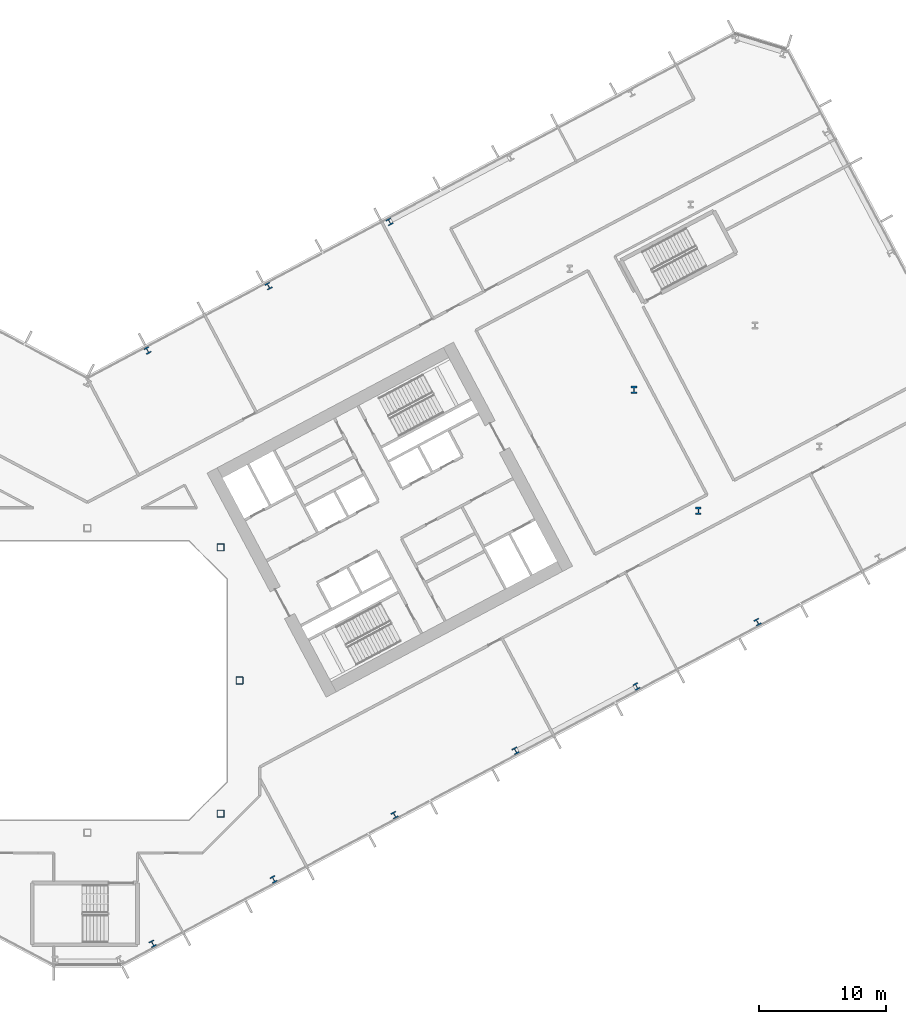
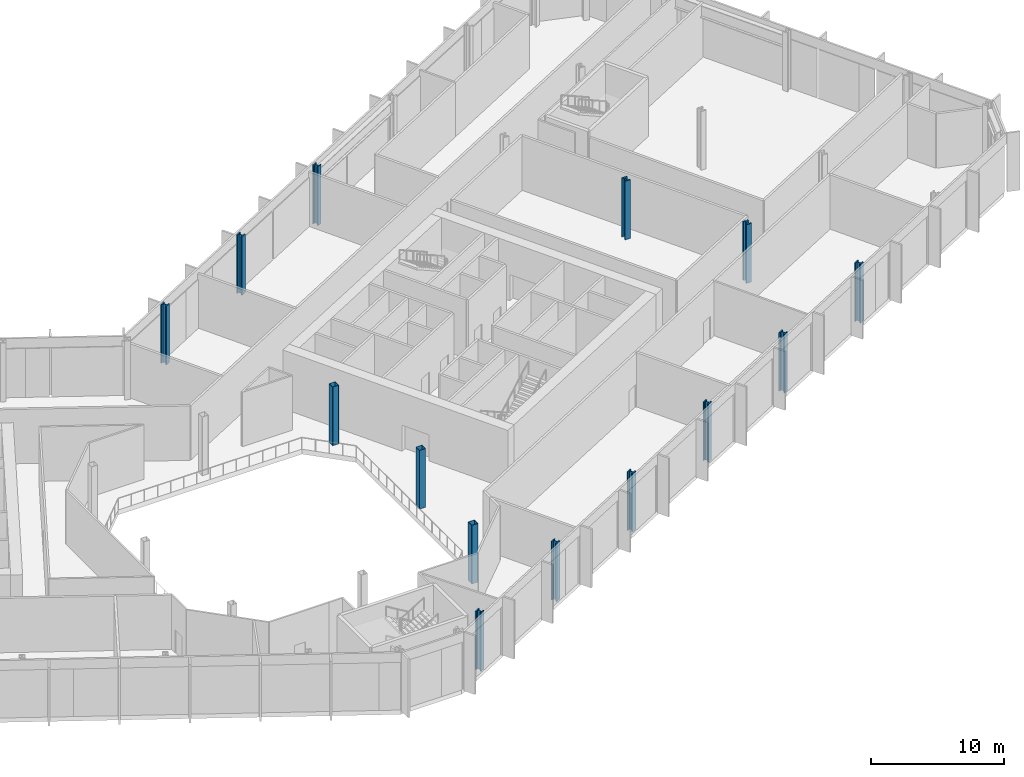
# One storey, part 3 of 32: 14 columns.
"""IFC4 building model written with IfcOpenShell, lengths in metres."""

from ifc_helpers import new_model, si_unit, direction, frame, origin, origin_2d, place, context, subcontext, project, spatial, hollow_rectangle, i_section, extrude, material, material_profile, profile_set, type_object, element, save


model = new_model("IFC4")

# Units and contexts
model_context = context("Model", 3, precision=1e-05, world=origin(), true_north=direction((0.0, 1.0)))
body_context = subcontext(model_context, "Body", "Model", "MODEL_VIEW")
ifc_project = project(units=[si_unit("LENGTHUNIT", "METRE"), si_unit("AREAUNIT", "SQUARE_METRE"), si_unit("VOLUMEUNIT", "CUBIC_METRE"), si_unit("PLANEANGLEUNIT", "RADIAN"), si_unit("MASSUNIT", "GRAM", prefix="KILO")], contexts=[model_context])

# Site, building, storey
site_placement = place(None, origin())
site = spatial("IfcSite", under=ifc_project, at=site_placement, CompositionType="ELEMENT")
building_placement = place(site_placement, origin())
building = spatial("IfcBuilding", under=site, at=building_placement, Name="Cormorant Relay Tower", CompositionType="ELEMENT")
storey_placement = place(building_placement, frame((0.0, 0.0, 60.800048828125)))
storey = spatial("IfcBuildingStorey", under=building, at=storey_placement, Name="L11", CompositionType="ELEMENT", Elevation=60.800048828125)

# Columns
ifc_material_1 = material(Name="Steel ASTM A1085 Grade A (Fy 345 MPa)", Category="steel")
ifc_material_profile_1 = material_profile(ifc_material_1, hollow_rectangle(XDim=0.558837890625, YDim=0.558837890625, WallThickness=0.023681640625, InnerFilletRadius=0.01171875, OuterFilletRadius=0.035400390625, at=origin_2d()), Name="HSS559x559x24")
ifc_profile_set_1 = profile_set([ifc_material_profile_1], Name="Steel ASTM A1085 Grade A (Fy 345 MPa)")
column_type_1 = type_object("IfcColumnType", Name="Column HSS559x559x24", PredefinedType="COLUMN", material=ifc_profile_set_1)
for number, where, z_axis, x_axis, name in (
    (1, (10.5, -10.5, 0.0), (0.0, 0.0, 1.0), (1.0, 0.0, 0.0), "Column L11-010"),
    (2, (12.0, 0.0, 0.0), (0.0, 0.0, 1.0), (1.0, 0.0, 0.0), "Column L11-016"),
    (3, (10.5, 10.5, 0.0), (0.0, 0.0, 1.0), (1.0, 0.0, 0.0), "Column L11-023"),
):
    element("IfcColumn", number, at=place(storey_placement, frame(where, z_axis=z_axis, x_axis=x_axis)), inside=storey, type_object=column_type_1, Name=name, PredefinedType="COLUMN", context=body_context, shape_type="SweptSolid", body=[
        extrude(hollow_rectangle(XDim=0.558837890625, YDim=0.558837890625, WallThickness=0.023681640625, InnerFilletRadius=0.01171875, OuterFilletRadius=0.035400390625, at=origin_2d()), origin(), (0.0, 0.0, 1.0), 5.39990234375),
    ])
ifc_material_2 = material(Name="Steel ASTM A992 (Fy 345 MPa)", Category="steel")
ifc_material_profile_2 = material_profile(ifc_material_2, i_section(OverallWidth=0.45458984375, OverallDepth=0.569091796875, WebThickness=0.077880859375, FlangeThickness=0.124755859375, FilletRadius=0.015380859375, at=origin_2d()), Name="W360x1086")
ifc_profile_set_2 = profile_set([ifc_material_profile_2], Name="Steel ASTM A992 (Fy 345 MPa)")
column_type_2 = type_object("IfcColumnType", Name="Column W360x1086", PredefinedType="COLUMN", material=ifc_profile_set_2)
for number, where, z_axis, x_axis, name in (
    (4, (48.157958984375, 13.3740234375, 0.0), (0.0, 0.0, 1.0), (1.0, 0.0, 0.0), "Column L11-025"),
    (5, (43.087890625, 22.909912109375, 0.0), (0.0, 0.0, 1.0), (1.0, 0.0, 0.0), "Column L11-031"),
):
    element("IfcColumn", number, at=place(storey_placement, frame(where, z_axis=z_axis, x_axis=x_axis)), inside=storey, type_object=column_type_2, Name=name, PredefinedType="COLUMN", context=body_context, shape_type="SweptSolid", body=[
        extrude(i_section(OverallWidth=0.45458984375, OverallDepth=0.569091796875, WebThickness=0.077880859375, FlangeThickness=0.124755859375, FilletRadius=0.015380859375, at=origin_2d()), origin(), (0.0, 0.0, 1.0), 5.39990234375),
    ])
ifc_material_3 = material(Name="Steel ASTM A992 (Fy 345 MPa)", Category="steel")
ifc_material_profile_3 = material_profile(ifc_material_3, i_section(OverallWidth=0.43701171875, OverallDepth=0.51318359375, WebThickness=0.060546875, FlangeThickness=0.096923828125, FilletRadius=0.015380859375, at=origin_2d()), Name="W360x818")
ifc_profile_set_3 = profile_set([ifc_material_profile_3], Name="Steel ASTM A992 (Fy 345 MPa)")
column_type_3 = type_object("IfcColumnType", Name="Column W360x818", PredefinedType="COLUMN", material=ifc_profile_set_3)
for number, where, z_axis, x_axis, name in (
    (6, (5.14599609375, -20.75390625, 0.0), (0.0, 0.0, 1.0), (0.882947592859, 0.469471562786, 0.0), "Column L11-003"),
    (7, (14.680908203125, -15.68310546875, 0.0), (0.0, 0.0, 1.0), (0.882947592859, 0.469471562786, 0.0), "Column L11-005"),
    (8, (24.217041015625, -10.613037109375, 0.0), (0.0, 0.0, 1.0), (0.882947592859, 0.469471562786, 0.0), "Column L11-008"),
    (9, (33.7529296875, -5.54296875, 0.0), (0.0, 0.0, 1.0), (0.882947592859, 0.469471562786, 0.0), "Column L11-012"),
    (10, (43.2890625, -0.471923828125, 0.0), (0.0, 0.0, 1.0), (0.882947592859, 0.469471562786, 0.0), "Column L11-014"),
    (11, (52.824951171875, 4.597900390625, 0.0), (0.0, 0.0, 1.0), (0.882947592859, 0.469471562786, 0.0), "Column L11-019"),
    (12, (4.743896484375, 26.011962890625, 0.0), (0.0, 0.0, 1.0), (-0.882947592859, -0.469471562786, 0.0), "Column L11-035"),
    (13, (14.279052734375, 31.08203125, 0.0), (0.0, 0.0, 1.0), (-0.882947592859, -0.469471562786, 0.0), "Column L11-039"),
    (14, (23.81494140625, 36.152099609375, 0.0), (0.0, 0.0, 1.0), (-0.882947592859, -0.469471562786, 0.0), "Column L11-044"),
):
    element("IfcColumn", number, at=place(storey_placement, frame(where, z_axis=z_axis, x_axis=x_axis)), inside=storey, type_object=column_type_3, Name=name, PredefinedType="COLUMN", context=body_context, shape_type="SweptSolid", body=[
        extrude(i_section(OverallWidth=0.43701171875, OverallDepth=0.51318359375, WebThickness=0.060546875, FlangeThickness=0.096923828125, FilletRadius=0.015380859375, at=origin_2d()), origin(), (0.0, 0.0, 1.0), 5.39990234375),
    ])

save(model, "model.ifc")
